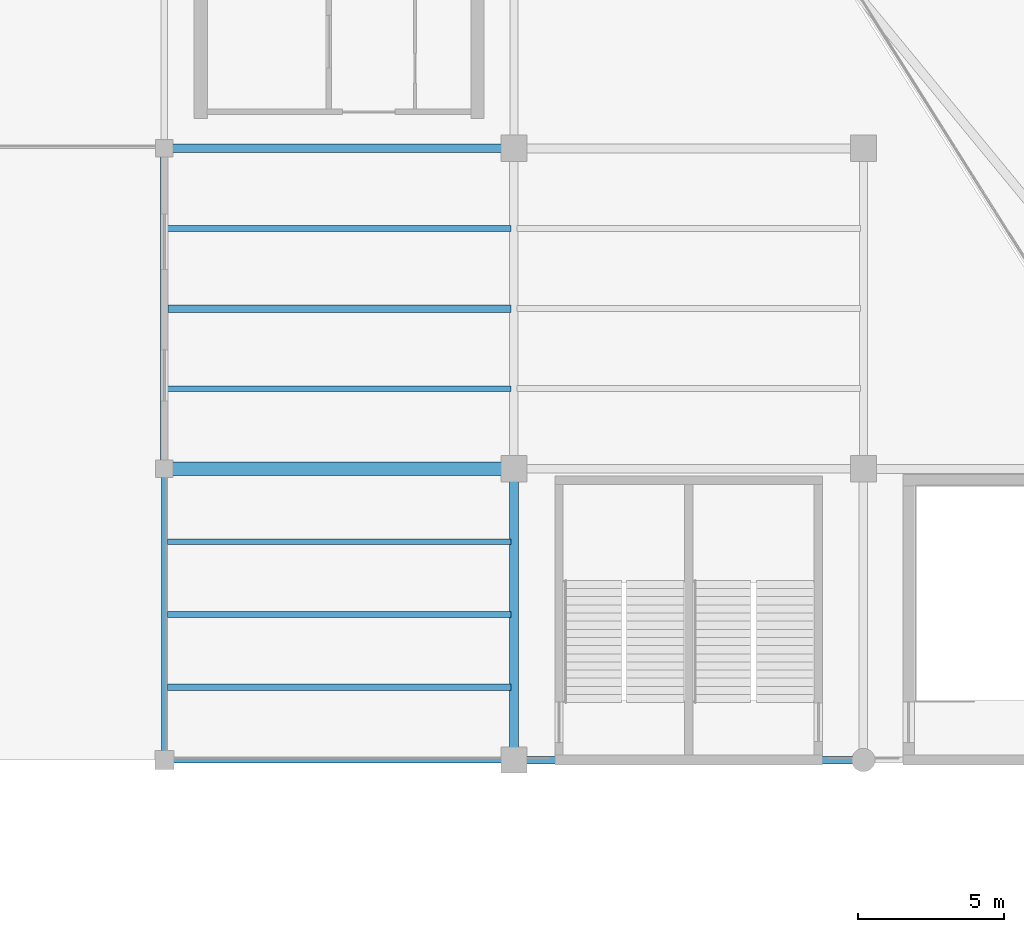
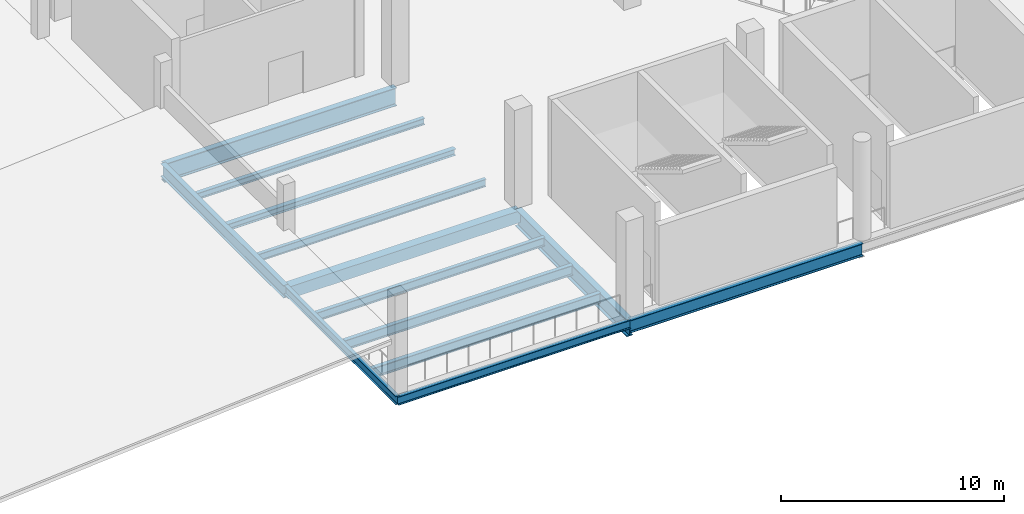
# One storey, part 5 of 74: 13 beams.
"""IFC4 building model written with IfcOpenShell, lengths in metres."""

from ifc_helpers import new_model, si_unit, direction, frame, origin, origin_2d, place, context, subcontext, project, spatial, rectangle, i_section, extrude, material, material_profile, profile_set, type_object, element, save


model = new_model("IFC4")

# Units and contexts
model_context = context("Model", 3, precision=1e-05, world=origin(), true_north=direction((0.0, 1.0)))
body_context = subcontext(model_context, "Body", "Model", "MODEL_VIEW")
ifc_project = project(units=[si_unit("LENGTHUNIT", "METRE"), si_unit("AREAUNIT", "SQUARE_METRE"), si_unit("VOLUMEUNIT", "CUBIC_METRE"), si_unit("PLANEANGLEUNIT", "RADIAN"), si_unit("MASSUNIT", "GRAM", prefix="KILO")], contexts=[model_context])

# Site, building, storey
site_placement = place(None, origin())
site = spatial("IfcSite", under=ifc_project, at=site_placement, CompositionType="ELEMENT")
building_placement = place(site_placement, origin())
building = spatial("IfcBuilding", under=site, at=building_placement, Name="Brinegate Civic Arena", CompositionType="ELEMENT")
storey_placement = place(building_placement, frame((0.0, 0.0, 19.199951171875)))
storey = spatial("IfcBuildingStorey", under=building, at=storey_placement, Name="L04", CompositionType="ELEMENT", Elevation=19.199951171875)

# Beams
ifc_material_1 = material(Name="Steel S355", Category="steel")
ifc_material_profile_1 = material_profile(ifc_material_1, i_section(OverallWidth=0.300048828125, OverallDepth=1.0, WebThickness=0.01904296875, FlangeThickness=0.031982421875, FilletRadius=0.02392578125, at=origin_2d()), Name="W1000X321")
ifc_profile_set_1 = profile_set([ifc_material_profile_1], Name="Steel S355")
beam_type_1 = type_object("IfcBeamType", Name="GIRDER-W1000X321", PredefinedType="BEAM", material=ifc_profile_set_1)
beam_1_placement = place(storey_placement, frame((48.0, 31.0, -0.83984375), z_axis=(1.0, 0.0, 0.0), x_axis=(0.0, 1.0, 0.0)))
element("IfcBeam", 1, at=beam_1_placement, inside=storey, type_object=beam_type_1, Name="Floor Girder BM-L04-GX-04-03", PredefinedType="BEAM", context=body_context, shape_type="SweptSolid", body=[
    extrude(i_section(OverallWidth=0.300048828125, OverallDepth=1.0, WebThickness=0.01904296875, FlangeThickness=0.031982421875, FilletRadius=0.02392578125, at=origin_2d()), origin(), (0.0, 0.0, 1.0), 12.0),
])
ifc_material_profile_2 = material_profile(ifc_material_1, i_section(OverallWidth=0.30810546875, OverallDepth=0.927001953125, WebThickness=0.01904296875, FlangeThickness=0.031982421875, FilletRadius=0.02392578125, at=origin_2d()), Name="W920X289")
ifc_profile_set_2 = profile_set([ifc_material_profile_2], Name="Steel S355")
beam_type_2 = type_object("IfcBeamType", Name="GIRDER-W920X289", PredefinedType="BEAM", material=ifc_profile_set_2)
beam_2_placement = place(storey_placement, frame((60.0, 10.0, -0.802978515625), z_axis=(0.0, 1.0, 0.0), x_axis=(-1.0, 0.0, 0.0)))
element("IfcBeam", 2, at=beam_2_placement, inside=storey, type_object=beam_type_2, Name="Floor Girder BM-L04-GY-05-01", PredefinedType="BEAM", context=body_context, shape_type="SweptSolid", body=[
    extrude(i_section(OverallWidth=0.30810546875, OverallDepth=0.927001953125, WebThickness=0.01904296875, FlangeThickness=0.031982421875, FilletRadius=0.02392578125, at=origin_2d()), origin(), (0.0, 0.0, 1.0), 10.0),
])
ifc_material_profile_3 = material_profile(ifc_material_1, i_section(OverallWidth=0.205078125, OverallDepth=0.35400390625, WebThickness=0.009033203125, FlangeThickness=0.01708984375, FilletRadius=0.013916015625, at=origin_2d()), Name="W360X79")
ifc_profile_set_3 = profile_set([ifc_material_profile_3], Name="Steel S355")
beam_type_3 = type_object("IfcBeamType", Name="JOIST-W360X79", PredefinedType="JOIST", material=ifc_profile_set_3)
beam_3_placement = place(storey_placement, frame((48.10595703125, 28.25, -0.516845703125), z_axis=(1.0, 0.0, 0.0), x_axis=(0.0, 1.0, 0.0)))
element("IfcBeam", 3, at=beam_3_placement, inside=storey, type_object=beam_type_3, Name="Secondary Joist BM-L04-JX-04-02-3", PredefinedType="JOIST", context=body_context, shape_type="SweptSolid", body=[
    extrude(i_section(OverallWidth=0.205078125, OverallDepth=0.35400390625, WebThickness=0.009033203125, FlangeThickness=0.01708984375, FilletRadius=0.013916015625, at=origin_2d()), origin(), (0.0, 0.0, 1.0), 11.7880859375),
])
ifc_material_profile_4 = material_profile(ifc_material_1, i_section(OverallWidth=0.25390625, OverallDepth=0.35302734375, WebThickness=0.010009765625, FlangeThickness=0.01611328125, FilletRadius=0.013916015625, at=origin_2d()), Name="W360X91")
ifc_profile_set_4 = profile_set([ifc_material_profile_4], Name="Steel S355")
beam_type_4 = type_object("IfcBeamType", Name="JOIST-W360X91", PredefinedType="JOIST", material=ifc_profile_set_4)
beam_4_placement = place(storey_placement, frame((48.10595703125, 25.5, -0.515869140625), z_axis=(1.0, 0.0, 0.0), x_axis=(0.0, 1.0, 0.0)))
element("IfcBeam", 4, at=beam_4_placement, inside=storey, type_object=beam_type_4, Name="Secondary Joist BM-L04-JX-04-02-2", PredefinedType="JOIST", context=body_context, shape_type="SweptSolid", body=[
    extrude(i_section(OverallWidth=0.25390625, OverallDepth=0.35302734375, WebThickness=0.010009765625, FlangeThickness=0.01611328125, FilletRadius=0.013916015625, at=origin_2d()), origin(), (0.0, 0.0, 1.0), 11.7880859375),
])
ifc_material_profile_5 = material_profile(ifc_material_1, i_section(OverallWidth=0.178955078125, OverallDepth=0.409912109375, WebThickness=0.009033203125, FlangeThickness=0.013916015625, FilletRadius=0.013916015625, at=origin_2d()), Name="W410X67")
ifc_profile_set_5 = profile_set([ifc_material_profile_5], Name="Steel S355")
beam_type_5 = type_object("IfcBeamType", Name="JOIST-W410X67", PredefinedType="JOIST", material=ifc_profile_set_5)
beam_5_placement = place(storey_placement, frame((48.10595703125, 22.75, -0.544921875), z_axis=(1.0, 0.0, 0.0), x_axis=(0.0, 1.0, 0.0)))
element("IfcBeam", 5, at=beam_5_placement, inside=storey, type_object=beam_type_5, Name="Secondary Joist BM-L04-JX-04-02-1", PredefinedType="JOIST", context=body_context, shape_type="SweptSolid", body=[
    extrude(i_section(OverallWidth=0.178955078125, OverallDepth=0.409912109375, WebThickness=0.009033203125, FlangeThickness=0.013916015625, FilletRadius=0.013916015625, at=origin_2d()), origin(), (0.0, 0.0, 1.0), 11.7880859375),
])
ifc_material_profile_6 = material_profile(ifc_material_1, i_section(OverallWidth=0.195068359375, OverallDepth=0.472900390625, WebThickness=0.011962890625, FlangeThickness=0.02197265625, FilletRadius=0.014892578125, at=origin_2d()), Name="W460X113")
ifc_profile_set_6 = profile_set([ifc_material_profile_6], Name="Steel S355")
beam_type_6 = type_object("IfcBeamType", Name="JOIST-W460X113", PredefinedType="JOIST", material=ifc_profile_set_6)
beam_6_placement = place(storey_placement, frame((48.10595703125, 17.5, -0.575927734375), z_axis=(1.0, 0.0, 0.0), x_axis=(0.0, 1.0, 0.0)))
element("IfcBeam", 6, at=beam_6_placement, inside=storey, type_object=beam_type_6, Name="Secondary Joist BM-L04-JX-04-01-3", PredefinedType="JOIST", context=body_context, shape_type="SweptSolid", body=[
    extrude(i_section(OverallWidth=0.195068359375, OverallDepth=0.472900390625, WebThickness=0.011962890625, FlangeThickness=0.02197265625, FilletRadius=0.014892578125, at=origin_2d()), origin(), (0.0, 0.0, 1.0), 11.7880859375),
])
ifc_material_profile_7 = material_profile(ifc_material_1, i_section(OverallWidth=0.2109375, OverallDepth=0.5390625, WebThickness=0.011962890625, FlangeThickness=0.01904296875, FilletRadius=0.01611328125, at=origin_2d()), Name="W530X109")
ifc_profile_set_7 = profile_set([ifc_material_profile_7], Name="Steel S355")
beam_type_7 = type_object("IfcBeamType", Name="JOIST-W530X109", PredefinedType="JOIST", material=ifc_profile_set_7)
beam_7_placement = place(storey_placement, frame((48.10595703125, 15.0, -0.60888671875), z_axis=(1.0, 0.0, 0.0), x_axis=(0.0, 1.0, 0.0)))
element("IfcBeam", 7, at=beam_7_placement, inside=storey, type_object=beam_type_7, Name="Secondary Joist BM-L04-JX-04-01-2", PredefinedType="JOIST", context=body_context, shape_type="SweptSolid", body=[
    extrude(i_section(OverallWidth=0.2109375, OverallDepth=0.5390625, WebThickness=0.011962890625, FlangeThickness=0.01904296875, FilletRadius=0.01611328125, at=origin_2d()), origin(), (0.0, 0.0, 1.0), 11.7880859375),
])
ifc_material_profile_8 = material_profile(ifc_material_1, i_section(OverallWidth=0.214111328125, OverallDepth=0.549072265625, WebThickness=0.014892578125, FlangeThickness=0.02392578125, FilletRadius=0.01611328125, at=origin_2d()), Name="W530X138")
ifc_profile_set_8 = profile_set([ifc_material_profile_8], Name="Steel S355")
beam_type_8 = type_object("IfcBeamType", Name="JOIST-W530X138", PredefinedType="JOIST", material=ifc_profile_set_8)
beam_8_placement = place(storey_placement, frame((48.10595703125, 12.5, -0.614013671875), z_axis=(1.0, 0.0, 0.0), x_axis=(0.0, 1.0, 0.0)))
element("IfcBeam", 8, at=beam_8_placement, inside=storey, type_object=beam_type_8, Name="Secondary Joist BM-L04-JX-04-01-1", PredefinedType="JOIST", context=body_context, shape_type="SweptSolid", body=[
    extrude(i_section(OverallWidth=0.214111328125, OverallDepth=0.549072265625, WebThickness=0.014892578125, FlangeThickness=0.02392578125, FilletRadius=0.01611328125, at=origin_2d()), origin(), (0.0, 0.0, 1.0), 11.7880859375),
])
ifc_material_2 = material(Name="Concrete C50/60", Category="concrete")
ifc_material_profile_9 = material_profile(ifc_material_2, rectangle(XDim=0.449951171875, YDim=0.64990234375, at=origin_2d()), Name="RCB450X650")
ifc_profile_set_9 = profile_set([ifc_material_profile_9], Name="Concrete C50/60")
beam_type_9 = type_object("IfcBeamType", Name="RCG-450X650", PredefinedType="BEAM", material=ifc_profile_set_9)
beam_9_placement = place(storey_placement, frame((48.0, 20.0, -0.6650390625), z_axis=(1.0, 0.0, 0.0), x_axis=(0.0, 1.0, 0.0)))
element("IfcBeam", 9, at=beam_9_placement, inside=storey, type_object=beam_type_9, Name="Floor Girder BM-L04-GX-04-02", PredefinedType="BEAM", context=body_context, shape_type="SweptSolid", body=[
    extrude(rectangle(XDim=0.449951171875, YDim=0.64990234375, at=origin_2d()), origin(), (0.0, 0.0, 1.0), 12.0),
])
ifc_material_profile_10 = material_profile(ifc_material_1, i_section(OverallWidth=0.193115234375, OverallDepth=0.466064453125, WebThickness=0.010986328125, FlangeThickness=0.01904296875, FilletRadius=0.014892578125, at=origin_2d()), Name="W460X97")
ifc_profile_set_10 = profile_set([ifc_material_profile_10], Name="Steel S355")
beam_type_10 = type_object("IfcBeamType", Name="SPANDREL-W460X97", PredefinedType="SPANDREL", material=ifc_profile_set_10)
beam_10_placement = place(storey_placement, frame((48.0, 10.0, -0.572998046875), z_axis=(1.0, 0.0, 0.0), x_axis=(0.0, 1.0, 0.0)))
element("IfcBeam", 10, at=beam_10_placement, inside=storey, type_object=beam_type_10, Name="Floor Girder BM-L04-GX-04-01", PredefinedType="SPANDREL", context=body_context, shape_type="SweptSolid", body=[
    extrude(i_section(OverallWidth=0.193115234375, OverallDepth=0.466064453125, WebThickness=0.010986328125, FlangeThickness=0.01904296875, FilletRadius=0.014892578125, at=origin_2d()), origin(), (0.0, 0.0, 1.0), 12.0),
])
beam_11_placement = place(storey_placement, frame((48.0, 10.0, -0.572998046875), z_axis=(0.0, 1.0, 0.0), x_axis=(-1.0, 0.0, 0.0)))
element("IfcBeam", 11, at=beam_11_placement, inside=storey, type_object=beam_type_10, Name="Floor Girder BM-L04-GY-04-01", PredefinedType="SPANDREL", context=body_context, shape_type="SweptSolid", body=[
    extrude(i_section(OverallWidth=0.193115234375, OverallDepth=0.466064453125, WebThickness=0.010986328125, FlangeThickness=0.01904296875, FilletRadius=0.014892578125, at=origin_2d()), origin(), (0.0, 0.0, 1.0), 10.0),
])
ifc_material_profile_11 = material_profile(ifc_material_1, i_section(OverallWidth=0.256103515625, OverallDepth=0.693115234375, WebThickness=0.014892578125, FlangeThickness=0.02392578125, FilletRadius=0.01806640625, at=origin_2d()), Name="W690X170")
ifc_profile_set_11 = profile_set([ifc_material_profile_11], Name="Steel S355")
beam_type_11 = type_object("IfcBeamType", Name="SPANDREL-W690X170", PredefinedType="SPANDREL", material=ifc_profile_set_11)
beam_12_placement = place(storey_placement, frame((60.0, 10.0, -0.68603515625), z_axis=(1.0, 0.0, 0.0), x_axis=(0.0, 1.0, 0.0)))
element("IfcBeam", 12, at=beam_12_placement, inside=storey, type_object=beam_type_11, Name="Floor Girder BM-L04-GX-05-01", PredefinedType="SPANDREL", context=body_context, shape_type="SweptSolid", body=[
    extrude(i_section(OverallWidth=0.256103515625, OverallDepth=0.693115234375, WebThickness=0.014892578125, FlangeThickness=0.02392578125, FilletRadius=0.01806640625, at=origin_2d()), origin(), (0.0, 0.0, 1.0), 12.0),
])
beam_13_placement = place(storey_placement, frame((48.0, 20.0, -0.68603515625), z_axis=(0.0, 1.0, 0.0), x_axis=(-1.0, 0.0, 0.0)))
element("IfcBeam", 13, at=beam_13_placement, inside=storey, type_object=beam_type_11, Name="Floor Girder BM-L04-GY-04-02", PredefinedType="SPANDREL", context=body_context, shape_type="SweptSolid", body=[
    extrude(i_section(OverallWidth=0.256103515625, OverallDepth=0.693115234375, WebThickness=0.014892578125, FlangeThickness=0.02392578125, FilletRadius=0.01806640625, at=origin_2d()), origin(), (0.0, 0.0, 1.0), 11.0),
])

save(model, "model.ifc")
